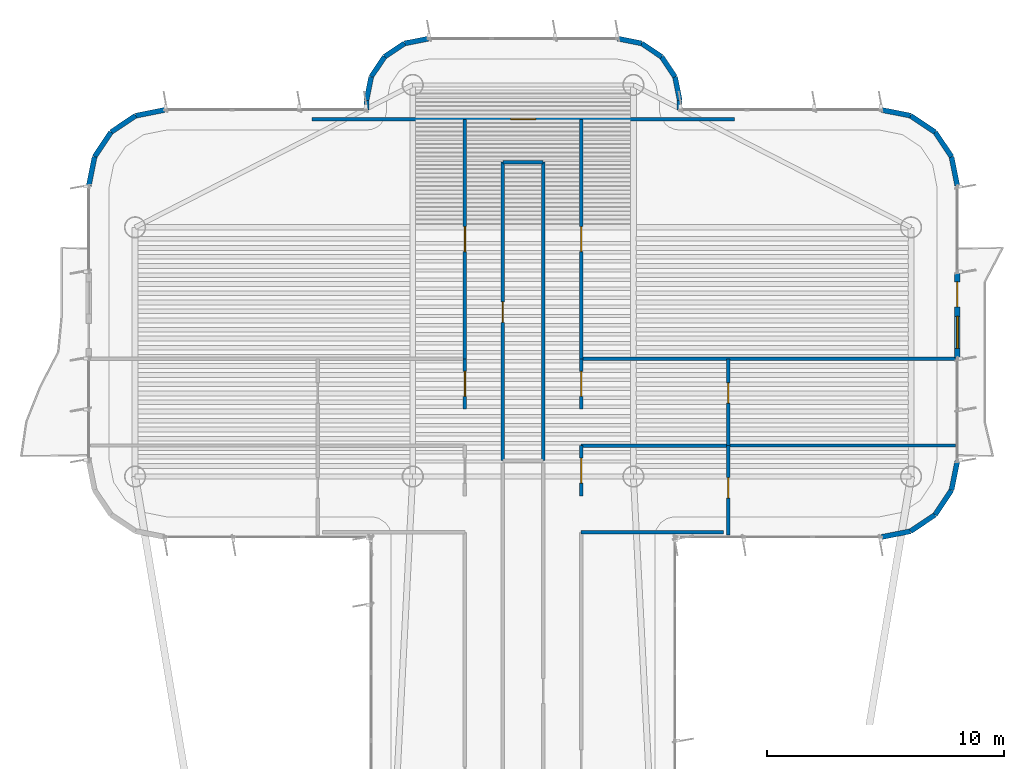
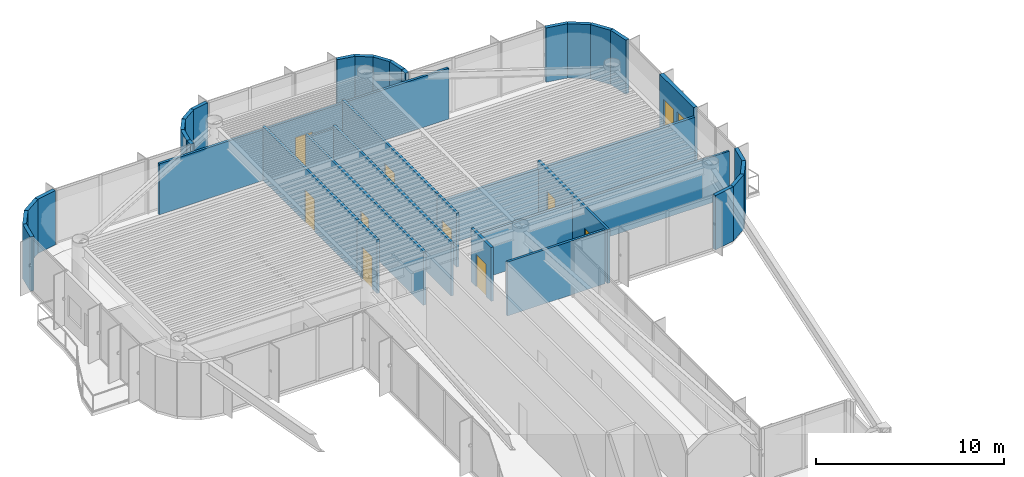
# One storey, part 12 of 15: 38 walls, 10 doors, 1 window, 11 openings.
"""IFC4 building model written with IfcOpenShell, lengths in metres."""

from ifc_helpers import new_model, si_unit, direction, frame, frame_2d, origin, origin_2d, place, context, subcontext, project, spatial, rectangle, extrude, source, transform, mapped, material, layer, layer_set, type_object, element, fill, save


model = new_model("IFC4")

# Units and contexts
model_context = context("Model", 3, precision=1e-05, world=origin(), true_north=direction((0.0, 1.0)))
body_context = subcontext(model_context, "Body", "Model", "MODEL_VIEW")
ifc_project = project(units=[si_unit("LENGTHUNIT", "METRE"), si_unit("AREAUNIT", "SQUARE_METRE"), si_unit("VOLUMEUNIT", "CUBIC_METRE"), si_unit("PLANEANGLEUNIT", "RADIAN"), si_unit("MASSUNIT", "GRAM", prefix="KILO")], contexts=[model_context])

# Site, building, storey
site_placement = place(None, origin())
site = spatial("IfcSite", under=ifc_project, at=site_placement, CompositionType="ELEMENT")
building_placement = place(site_placement, origin())
building = spatial("IfcBuilding", under=site, at=building_placement, Name="Brelvock Crest Care Tower", CompositionType="ELEMENT")
storey_placement = place(building_placement, frame((0.0, 0.0, 241.919921875)))
storey = spatial("IfcBuildingStorey", under=building, at=storey_placement, Name="L61", CompositionType="ELEMENT", Elevation=241.919921875)

# Wall, openings, door, window
ifc_material_1 = material(Name="Precast concrete N40 (40 MPa)", Category="concrete")
ifc_layer_1 = layer(ifc_material_1, 0.239990234375, Name="WL-EX1")
ifc_layer_set_1 = layer_set([ifc_layer_1], Name="Precast concrete N40 (40 MPa)")
wall_type_1 = type_object("IfcWallType", Name="WL-EX1", PredefinedType="SOLIDWALL", material=ifc_layer_set_1)
wall_1_placement = place(storey_placement, frame((54.300048828125, 52.550048828125, 0.0), z_axis=(0.0, 0.0, 1.0), x_axis=(0.0, -1.0, 0.0)))
wall_1 = element("IfcWall", 1, at=wall_1_placement, inside=storey, type_object=wall_type_1, Name="L61 Exterior Spandrel Wall WL-BAL-L61-E", PredefinedType="SOLIDWALL", context=body_context, shape_type="SweptSolid", body=[
    extrude(rectangle(XDim=3.60009765625, YDim=0.239990234375, at=frame_2d((1.800048828125, 0.0))), origin(), (0.0, 0.0, 1.0), 3.530029296875),
])
opening_1_placement = place(wall_1_placement, frame((0.39990234375, 0.0, 0.0)))
opening_1 = element("IfcOpeningElement", 2, at=opening_1_placement, cuts=wall_1, Name="Opening BD-1", PredefinedType="OPENING", context=body_context, shape_type="SweptSolid", body=[
    extrude(rectangle(XDim=1.050048828125, YDim=2.14990234375, at=origin_2d()), frame((0.52490234375, 0.1298828125, 1.074951171875), z_axis=(0.0, -1.0, 0.0), x_axis=(1.0, 0.0, 0.0)), (0.0, 0.0, 1.0), 0.260009765625),
])
opening_2_placement = place(wall_1_placement, frame((1.85009765625, 0.0, 0.85009765625)))
opening_2 = element("IfcOpeningElement", 3, at=opening_2_placement, cuts=wall_1, Name="Opening W-01", PredefinedType="OPENING", context=body_context, shape_type="SweptSolid", body=[
    extrude(rectangle(XDim=1.35009765625, YDim=1.35009765625, at=origin_2d()), frame((0.675048828125, 0.1298828125, 0.675048828125), z_axis=(0.0, -1.0, 0.0), x_axis=(1.0, 0.0, 0.0)), (0.0, 0.0, 1.0), 0.260009765625),
])
ifc_material_2 = material(Name="Dark Glass Double Glazed Low-E", Category="glass")
door_type_1 = type_object("IfcDoorType", Name="DR-BAL1", OperationType="NOTDEFINED", PredefinedType="DOOR", material=ifc_material_2)
shared_shape_1 = source(origin(), body_context, "Body", "SweptSolid", [
    extrude(rectangle(XDim=1.050048828125, YDim=2.14990234375, at=origin_2d()), frame((0.52490234375, 0.02490234375, 1.074951171875), z_axis=(0.0, -1.0, 0.0), x_axis=(1.0, 0.0, 0.0)), (0.0, 0.0, 1.0), 0.050048828125),
])
door_1_placement = place(opening_1_placement, origin())
door_1 = element("IfcDoor", 4, at=door_1_placement, inside=storey, type_object=door_type_1, Name="L61 E Wave Balcony Glazed Door", OperationType="SINGLE_SWING_RIGHT", OverallHeight=2.14990234375, OverallWidth=1.050048828125, PredefinedType="DOOR", context=body_context, shape_type="MappedRepresentation", body=[
    mapped(shared_shape_1, transform((0.0, 0.0, 0.0), x_axis=(1.0, 0.0, 0.0), y_axis=(0.0, 1.0, 0.0), z_axis=(0.0, 0.0, 1.0), scale=1.0)),
])
fill(opening_1, door_1)
window_type = type_object("IfcWindowType", Name="WN-EX1", PartitioningType="SINGLE_PANEL", PredefinedType="WINDOW", material=ifc_material_2)
shared_shape_2 = source(origin(), body_context, "Body", "SweptSolid", [
    extrude(rectangle(XDim=1.35009765625, YDim=1.35009765625, at=origin_2d()), frame((0.675048828125, 0.030029296875, 0.675048828125), z_axis=(0.0, -1.0, 0.0), x_axis=(1.0, 0.0, 0.0)), (0.0, 0.0, 1.0), 0.06005859375),
])
window_placement = place(opening_2_placement, origin())
window = element("IfcWindow", 5, at=window_placement, inside=storey, type_object=window_type, Name="L61 E Suite Casement Window", OverallHeight=1.35009765625, OverallWidth=1.35009765625, PartitioningType="SINGLE_PANEL", PredefinedType="WINDOW", context=body_context, shape_type="MappedRepresentation", body=[
    mapped(shared_shape_2, transform((0.0, 0.0, 0.0), x_axis=(1.0, 0.0, 0.0), y_axis=(0.0, 1.0, 0.0), z_axis=(0.0, 0.0, 1.0), scale=1.0)),
])
fill(opening_2, window)

# Walls
ifc_layer_2 = layer(ifc_material_1, 0.215087890625, Name="WL-EX2")
ifc_layer_set_2 = layer_set([ifc_layer_2], Name="Precast concrete N40 (40 MPa)")
wall_type_2 = type_object("IfcWallType", Name="WL-EX2", PredefinedType="SOLIDWALL", material=ifc_layer_set_2)
for number, where, z_axis, x_axis, name in (
    (6, (17.699951171875, 56.199951171875, 0.0), (0.0, 0.0, 1.0), (0.195138390419, 0.980775717779, 0.0), "L61 Rounded Corner Wall 18"),
    (7, (17.943603515625, 57.424560546875, 0.0), (0.0, 0.0, 1.0), (0.555557312883, 0.831478245117, 0.0), "L61 Rounded Corner Wall 19"),
    (8, (18.63720703125, 58.462646484375, 0.0), (0.0, 0.0, 1.0), (0.831387912822, 0.555692485475, 0.0), "L61 Rounded Corner Wall 20"),
    (9, (19.67529296875, 59.156494140625, 0.0), (0.0, 0.0, 1.0), (0.980813122964, 0.194950295773, 0.0), "L61 Rounded Corner Wall 21"),
):
    element("IfcWall", number, at=place(storey_placement, frame(where, z_axis=z_axis, x_axis=x_axis)), inside=storey, type_object=wall_type_2, Name=name, PredefinedType="SOLIDWALL", context=body_context, shape_type="SweptSolid", body=[
        extrude(rectangle(XDim=1.24853515625, YDim=0.215087890625, at=frame_2d((0.624267578125, 0.0))), origin(), (0.0, 0.0, 1.0), 3.530029296875),
    ])
wall_2_placement = place(storey_placement, frame((29.39990234375, 59.39990234375, 0.0), z_axis=(0.0, 0.0, 1.0), x_axis=(0.0, 1.0, 0.0)))
element("IfcWall", 10, at=wall_2_placement, inside=storey, type_object=wall_type_2, Name="L61 Rounded Corner Wall 23", PredefinedType="SOLIDWALL", context=body_context, shape_type="SweptSolid", body=[
    extrude(rectangle(XDim=0.400146484375, YDim=0.215087890625, at=frame_2d((0.2001953125, 0.0))), origin(), (0.0, 0.0, 1.0), 3.530029296875),
])
wall_3_placement = place(storey_placement, frame((29.39990234375, 59.800048828125, 0.0), z_axis=(0.0, 0.0, 1.0), x_axis=(0.195190360752, 0.980765376158, 0.0)))
element("IfcWall", 11, at=wall_3_placement, inside=storey, type_object=wall_type_2, Name="L61 Rounded Corner Wall 24", PredefinedType="SOLIDWALL", context=body_context, shape_type="SweptSolid", body=[
    extrude(rectangle(XDim=1.014404296875, YDim=0.215087890625, at=frame_2d((0.50732421875, 0.0))), origin(), (0.0, 0.0, 1.0), 3.530029296875),
])
wall_4_placement = place(storey_placement, frame((29.597900390625, 60.794921875, 0.0), z_axis=(0.0, 0.0, 1.0), x_axis=(0.555643898837, 0.831420385657, 0.0)))
element("IfcWall", 12, at=wall_4_placement, inside=storey, type_object=wall_type_2, Name="L61 Rounded Corner Wall 25", PredefinedType="SOLIDWALL", context=body_context, shape_type="SweptSolid", body=[
    extrude(rectangle(XDim=1.0146484375, YDim=0.215087890625, at=frame_2d((0.50732421875, 0.0))), origin(), (0.0, 0.0, 1.0), 3.530029296875),
])
wall_5_placement = place(storey_placement, frame((30.16162109375, 61.638427734375, 0.0), z_axis=(0.0, 0.0, 1.0), x_axis=(0.831346067305, 0.555755086685, 0.0)))
element("IfcWall", 13, at=wall_5_placement, inside=storey, type_object=wall_type_2, Name="L61 Rounded Corner Wall 26", PredefinedType="SOLIDWALL", context=body_context, shape_type="SweptSolid", body=[
    extrude(rectangle(XDim=1.014404296875, YDim=0.215087890625, at=frame_2d((0.50732421875, 0.0))), origin(), (0.0, 0.0, 1.0), 3.530029296875),
])
for number, where, z_axis, x_axis, name in (
    (14, (31.0048828125, 62.2021484375, 0.0), (0.0, 0.0, 1.0), (0.980820570666, 0.194912821943, 0.0), "L61 Rounded Corner Wall 27"),
    (15, (40.0, 62.39990234375, 0.0), (0.0, 0.0, 1.0), (0.980820570666, -0.194912821943, 0.0), "L61 Rounded Corner Wall 29"),
):
    element("IfcWall", number, at=place(storey_placement, frame(where, z_axis=z_axis, x_axis=x_axis)), inside=storey, type_object=wall_type_2, Name=name, PredefinedType="SOLIDWALL", context=body_context, shape_type="SweptSolid", body=[
        extrude(rectangle(XDim=1.0146484375, YDim=0.215087890625, at=frame_2d((0.50732421875, 0.0))), origin(), (0.0, 0.0, 1.0), 3.530029296875),
    ])
wall_6_placement = place(storey_placement, frame((40.9951171875, 62.2021484375, 0.0), z_axis=(0.0, 0.0, 1.0), x_axis=(0.831346067305, -0.555755086685, 0.0)))
element("IfcWall", 16, at=wall_6_placement, inside=storey, type_object=wall_type_2, Name="L61 Rounded Corner Wall 30", PredefinedType="SOLIDWALL", context=body_context, shape_type="SweptSolid", body=[
    extrude(rectangle(XDim=1.014404296875, YDim=0.215087890625, at=frame_2d((0.50732421875, 0.0))), origin(), (0.0, 0.0, 1.0), 3.530029296875),
])
wall_7_placement = place(storey_placement, frame((41.83837890625, 61.638427734375, 0.0), z_axis=(0.0, 0.0, 1.0), x_axis=(0.555643898837, -0.831420385657, 0.0)))
element("IfcWall", 17, at=wall_7_placement, inside=storey, type_object=wall_type_2, Name="L61 Rounded Corner Wall 31", PredefinedType="SOLIDWALL", context=body_context, shape_type="SweptSolid", body=[
    extrude(rectangle(XDim=1.0146484375, YDim=0.215087890625, at=frame_2d((0.50732421875, 0.0))), origin(), (0.0, 0.0, 1.0), 3.530029296875),
])
wall_8_placement = place(storey_placement, frame((42.402099609375, 60.794921875, 0.0), z_axis=(0.0, 0.0, 1.0), x_axis=(0.195190360752, -0.980765376158, 0.0)))
element("IfcWall", 18, at=wall_8_placement, inside=storey, type_object=wall_type_2, Name="L61 Rounded Corner Wall 32", PredefinedType="SOLIDWALL", context=body_context, shape_type="SweptSolid", body=[
    extrude(rectangle(XDim=1.014404296875, YDim=0.215087890625, at=frame_2d((0.50732421875, 0.0))), origin(), (0.0, 0.0, 1.0), 3.530029296875),
])
wall_9_placement = place(storey_placement, frame((42.60009765625, 59.800048828125, 0.0), z_axis=(0.0, 0.0, 1.0), x_axis=(0.0, -1.0, 0.0)))
element("IfcWall", 19, at=wall_9_placement, inside=storey, type_object=wall_type_2, Name="L61 Rounded Corner Wall 33", PredefinedType="SOLIDWALL", context=body_context, shape_type="SweptSolid", body=[
    extrude(rectangle(XDim=0.400146484375, YDim=0.215087890625, at=frame_2d((0.2001953125, 0.0))), origin(), (0.0, 0.0, 1.0), 3.530029296875),
])
for number, where, z_axis, x_axis, name in (
    (20, (51.10009765625, 59.39990234375, 0.0), (0.0, 0.0, 1.0), (0.980813122964, -0.194950295773, 0.0), "L61 Rounded Corner Wall 35"),
    (21, (52.32470703125, 59.156494140625, 0.0), (0.0, 0.0, 1.0), (0.831387912822, -0.555692485475, 0.0), "L61 Rounded Corner Wall 36"),
    (22, (53.36279296875, 58.462646484375, 0.0), (0.0, 0.0, 1.0), (0.555557312883, -0.831478245117, 0.0), "L61 Rounded Corner Wall 37"),
    (23, (54.056396484375, 57.424560546875, 0.0), (0.0, 0.0, 1.0), (0.195138390419, -0.980775717779, 0.0), "L61 Rounded Corner Wall 38"),
    (24, (54.300048828125, 44.60009765625, 0.0), (0.0, 0.0, 1.0), (-0.195138390419, -0.980775717779, 0.0), "L61 Rounded Corner Wall 40"),
    (25, (54.056396484375, 43.37548828125, 0.0), (0.0, 0.0, 1.0), (-0.555557312883, -0.831478245117, 0.0), "L61 Rounded Corner Wall 41"),
    (26, (53.36279296875, 42.33740234375, 0.0), (0.0, 0.0, 1.0), (-0.831387912822, -0.555692485475, 0.0), "L61 Rounded Corner Wall 42"),
    (27, (52.32470703125, 41.6435546875, 0.0), (0.0, 0.0, 1.0), (-0.980775717779, -0.195138390419, 0.0), "L61 Rounded Corner Wall 43"),
):
    element("IfcWall", number, at=place(storey_placement, frame(where, z_axis=z_axis, x_axis=x_axis)), inside=storey, type_object=wall_type_2, Name=name, PredefinedType="SOLIDWALL", context=body_context, shape_type="SweptSolid", body=[
        extrude(rectangle(XDim=1.24853515625, YDim=0.215087890625, at=frame_2d((0.624267578125, 0.0))), origin(), (0.0, 0.0, 1.0), 3.530029296875),
    ])
ifc_material_3 = material(Name="Masonry Blockwork Acoustic Partition", Category="masonry")
ifc_layer_3 = layer(ifc_material_3, 0.14990234375, Name="WL-INT1")
ifc_layer_set_3 = layer_set([ifc_layer_3], Name="Masonry Blockwork Acoustic Partition")
wall_type_3 = type_object("IfcWallType", Name="WL-INT1", PredefinedType="PARTITIONING", material=ifc_layer_set_3)
wall_10_placement = place(storey_placement, frame((38.449951171875, 41.60009765625, 0.0), z_axis=(0.0, 0.0, 1.0), x_axis=(1.0, 0.0, 0.0)))
element("IfcWall", 28, at=wall_10_placement, inside=storey, type_object=wall_type_3, Name="L61 Interior Wall WL-BX-L61-CS-ER1A-S", PredefinedType="PARTITIONING", context=body_context, shape_type="SweptSolid", body=[
    extrude(rectangle(XDim=5.993408203125, YDim=0.14990234375, at=frame_2d((2.99658203125, 0.0))), origin(), (0.0, 0.0, 1.0), 3.5),
])
wall_11_placement = place(storey_placement, frame((38.449951171875, 45.25390625, 0.0), z_axis=(0.0, 0.0, 1.0), x_axis=(1.0, 0.0, 0.0)))
element("IfcWall", 29, at=wall_11_placement, inside=storey, type_object=wall_type_3, Name="L61 Interior Wall WL-BX-L61-CS-ER1A-N", PredefinedType="PARTITIONING", context=body_context, shape_type="SweptSolid", body=[
    extrude(rectangle(XDim=6.199951171875, YDim=0.14990234375, at=frame_2d((3.10009765625, 0.0))), origin(), (0.0, 0.0, 1.0), 2.982177734375),
])
wall_12_placement = place(storey_placement, frame((38.449951171875, 48.907958984375, 0.0), z_axis=(0.0, 0.0, 1.0), x_axis=(1.0, 0.0, 0.0)))
element("IfcWall", 30, at=wall_12_placement, inside=storey, type_object=wall_type_3, Name="L61 Interior Wall WL-BX-L61-ERC-S", PredefinedType="PARTITIONING", context=body_context, shape_type="SweptSolid", body=[
    extrude(rectangle(XDim=15.77001953125, YDim=0.14990234375, at=frame_2d((7.885009765625, 0.0))), origin(), (0.0, 0.0, 1.0), 2.982177734375),
])
wall_13_placement = place(storey_placement, frame((35.14990234375, 57.199951171875, 0.0), z_axis=(0.0, 0.0, 1.0), x_axis=(1.0, 0.0, 0.0)))
element("IfcWall", 31, at=wall_13_placement, inside=storey, type_object=wall_type_3, Name="L61 Interior Wall WL-BX-L61-ISKT-N", PredefinedType="PARTITIONING", context=body_context, shape_type="SweptSolid", body=[
    extrude(rectangle(XDim=1.7001953125, YDim=0.14990234375, at=frame_2d((0.85009765625, 0.0))), origin(), (0.0, 0.0, 1.0), 3.30810546875),
])

# Wall, opening, door
wall_14_placement = place(storey_placement, frame((27.10009765625, 59.0, 0.0), z_axis=(0.0, 0.0, 1.0), x_axis=(1.0, 0.0, 0.0)))
wall_14 = element("IfcWall", 32, at=wall_14_placement, inside=storey, type_object=wall_type_3, Name="L61 Interior Wall WL-RM-L61-NHUB", PredefinedType="PARTITIONING", context=body_context, shape_type="SweptSolid", body=[
    extrude(rectangle(XDim=17.7998046875, YDim=0.14990234375, at=frame_2d((8.89990234375, 0.0))), origin(), (0.0, 0.0, 1.0), 3.30810546875),
])
opening_3_placement = place(wall_14_placement, frame((8.375, 0.0, 0.0)))
opening_3 = element("IfcOpeningElement", 33, at=opening_3_placement, cuts=wall_14, Name="Opening CLD-1", PredefinedType="OPENING", context=body_context, shape_type="SweptSolid", body=[
    extrude(rectangle(XDim=1.050048828125, YDim=2.10009765625, at=origin_2d()), frame((0.52490234375, 0.0849609375, 1.050048828125), z_axis=(0.0, -1.0, 0.0), x_axis=(1.0, 0.0, 0.0)), (0.0, 0.0, 1.0), 0.169921875),
])
ifc_material_4 = material(Name="Engineered Hardwood Timber", Category="wood")
door_type_2 = type_object("IfcDoorType", Name="DR-CLN1", OperationType="NOTDEFINED", PredefinedType="DOOR", material=ifc_material_4)
shared_shape_3 = source(origin(), body_context, "Body", "SweptSolid", [
    extrude(rectangle(XDim=1.050048828125, YDim=2.10009765625, at=origin_2d()), frame((0.52490234375, 0.02490234375, 1.050048828125), z_axis=(0.0, -1.0, 0.0), x_axis=(1.0, 0.0, 0.0)), (0.0, 0.0, 1.0), 0.050048828125),
])
door_2_placement = place(opening_3_placement, origin())
door_2 = element("IfcDoor", 34, at=door_2_placement, inside=storey, type_object=door_type_2, Name="L61 North Crest Conservatory Lounge Door NHUB", OperationType="SINGLE_SWING_LEFT", OverallHeight=2.10009765625, OverallWidth=1.050048828125, PredefinedType="DOOR", context=body_context, shape_type="MappedRepresentation", body=[
    mapped(shared_shape_3, transform((0.0, 0.0, 0.0), x_axis=(1.0, 0.0, 0.0), y_axis=(0.0, 1.0, 0.0), z_axis=(0.0, 0.0, 1.0), scale=1.0)),
])
fill(opening_3, door_2)

wall_15_placement = place(storey_placement, frame((33.550048828125, 46.7890625, 0.0), z_axis=(0.0, 0.0, 1.0), x_axis=(0.0, 1.0, 0.0)))
wall_15 = element("IfcWall", 35, at=wall_15_placement, inside=storey, type_object=wall_type_3, Name="L61 Interior Wall WL-CENT-L61-WR1B", PredefinedType="PARTITIONING", context=body_context, shape_type="SweptSolid", body=[
    extrude(rectangle(XDim=2.118896484375, YDim=0.14990234375, at=frame_2d((1.0595703125, 0.0))), origin(), (0.0, 0.0, 1.0), 3.5),
])
opening_4_placement = place(wall_15_placement, frame((0.5390625, 0.0, 0.0)))
opening_4 = element("IfcOpeningElement", 36, at=opening_4_placement, cuts=wall_15, Name="Opening CD-1", PredefinedType="OPENING", context=body_context, shape_type="SweptSolid", body=[
    extrude(rectangle(XDim=1.050048828125, YDim=2.10009765625, at=origin_2d()), frame((0.52490234375, 0.0849609375, 1.050048828125), z_axis=(0.0, -1.0, 0.0), x_axis=(1.0, 0.0, 0.0)), (0.0, 0.0, 1.0), 0.169921875),
])
door_type_3 = type_object("IfcDoorType", Name="DR-CARE1", OperationType="NOTDEFINED", PredefinedType="DOOR", material=ifc_material_4)
shared_shape_4 = source(origin(), body_context, "Body", "SweptSolid", [
    extrude(rectangle(XDim=1.050048828125, YDim=2.10009765625, at=origin_2d()), frame((0.52490234375, 0.02490234375, 1.050048828125), z_axis=(0.0, -1.0, 0.0), x_axis=(1.0, 0.0, 0.0)), (0.0, 0.0, 1.0), 0.050048828125),
])
door_3_placement = place(opening_4_placement, origin())
door_3 = element("IfcDoor", 37, at=door_3_placement, inside=storey, type_object=door_type_3, Name="L61 Care Suite Door WR1B", OperationType="SINGLE_SWING_LEFT", OverallHeight=2.10009765625, OverallWidth=1.050048828125, PredefinedType="DOOR", context=body_context, shape_type="MappedRepresentation", body=[
    mapped(shared_shape_4, transform((0.0, 0.0, 0.0), x_axis=(1.0, 0.0, 0.0), y_axis=(0.0, 1.0, 0.0), z_axis=(0.0, 0.0, 1.0), scale=1.0)),
])
fill(opening_4, door_3)

wall_16_placement = place(storey_placement, frame((33.550048828125, 48.907958984375, 0.0), z_axis=(0.0, 0.0, 1.0), x_axis=(0.0, 1.0, 0.0)))
wall_16 = element("IfcWall", 38, at=wall_16_placement, inside=storey, type_object=wall_type_3, Name="L61 Interior Wall WL-RM-L61-WRC", PredefinedType="PARTITIONING", context=body_context, shape_type="SweptSolid", body=[
    extrude(rectangle(XDim=10.092041015625, YDim=0.14990234375, at=frame_2d((5.0458984375, 0.0))), origin(), (0.0, 0.0, 1.0), 3.5),
])
opening_5_placement = place(wall_16_placement, frame((4.52099609375, 0.0, 0.0)))
opening_5 = element("IfcOpeningElement", 39, at=opening_5_placement, cuts=wall_16, Name="Opening CLD-1", PredefinedType="OPENING", context=body_context, shape_type="SweptSolid", body=[
    extrude(rectangle(XDim=1.050048828125, YDim=2.10009765625, at=origin_2d()), frame((0.52490234375, 0.0849609375, 1.050048828125), z_axis=(0.0, -1.0, 0.0), x_axis=(1.0, 0.0, 0.0)), (0.0, 0.0, 1.0), 0.169921875),
])
door_4_placement = place(opening_5_placement, origin())
door_4 = element("IfcDoor", 40, at=door_4_placement, inside=storey, type_object=door_type_2, Name="L61 Neurological Rehab Studio Door WRC", OperationType="SINGLE_SWING_LEFT", OverallHeight=2.10009765625, OverallWidth=1.050048828125, PredefinedType="DOOR", context=body_context, shape_type="MappedRepresentation", body=[
    mapped(shared_shape_3, transform((0.0, 0.0, 0.0), x_axis=(1.0, 0.0, 0.0), y_axis=(0.0, 1.0, 0.0), z_axis=(0.0, 0.0, 1.0), scale=1.0)),
])
fill(opening_5, door_4)

wall_17_placement = place(storey_placement, frame((35.14990234375, 44.6201171875, 0.0), z_axis=(0.0, 0.0, 1.0), x_axis=(0.0, 1.0, 0.0)))
wall_17 = element("IfcWall", 41, at=wall_17_placement, inside=storey, type_object=wall_type_3, Name="L61 Interior Wall WL-RM-L61-ISKT", PredefinedType="PARTITIONING", context=body_context, shape_type="SweptSolid", body=[
    extrude(rectangle(XDim=12.579833984375, YDim=0.14990234375, at=frame_2d((6.2900390625, 0.0))), origin(), (0.0, 0.0, 1.0), 3.5),
])
opening_6_placement = place(wall_17_placement, frame((5.830078125, 0.0, 0.0)))
opening_6 = element("IfcOpeningElement", 42, at=opening_6_placement, cuts=wall_17, Name="Opening ID-1", PredefinedType="OPENING", context=body_context, shape_type="SweptSolid", body=[
    extrude(rectangle(XDim=0.860107421875, YDim=2.10009765625, at=origin_2d()), frame((0.43017578125, 0.0849609375, 1.050048828125), z_axis=(0.0, -1.0, 0.0), x_axis=(1.0, 0.0, 0.0)), (0.0, 0.0, 1.0), 0.169921875),
])
door_type_4 = type_object("IfcDoorType", Name="DR-INT1", OperationType="NOTDEFINED", PredefinedType="DOOR", material=ifc_material_4)
shared_shape_5 = source(origin(), body_context, "Body", "SweptSolid", [
    extrude(rectangle(XDim=0.860107421875, YDim=2.10009765625, at=origin_2d()), frame((0.43017578125, 0.02490234375, 1.050048828125), z_axis=(0.0, -1.0, 0.0), x_axis=(1.0, 0.0, 0.0)), (0.0, 0.0, 1.0), 0.050048828125),
])
door_5_placement = place(opening_6_placement, origin())
door_5 = element("IfcDoor", 43, at=door_5_placement, inside=storey, type_object=door_type_4, Name="L61 Communal Tea and Nutrition Pantry Door ISKT", OperationType="SINGLE_SWING_LEFT", OverallHeight=2.10009765625, OverallWidth=0.860107421875, PredefinedType="DOOR", context=body_context, shape_type="MappedRepresentation", body=[
    mapped(shared_shape_5, transform((0.0, 0.0, 0.0), x_axis=(1.0, 0.0, 0.0), y_axis=(0.0, 1.0, 0.0), z_axis=(0.0, 0.0, 1.0), scale=1.0)),
])
fill(opening_6, door_5)

# Wall
wall_18_placement = place(storey_placement, frame((36.85009765625, 44.6201171875, 0.0), z_axis=(0.0, 0.0, 1.0), x_axis=(0.0, 1.0, 0.0)))
element("IfcWall", 44, at=wall_18_placement, inside=storey, type_object=wall_type_3, Name="L61 Interior Wall WL-BX-L61-ISKT-E", PredefinedType="PARTITIONING", context=body_context, shape_type="SweptSolid", body=[
    extrude(rectangle(XDim=12.579833984375, YDim=0.14990234375, at=frame_2d((6.2900390625, 0.0))), origin(), (0.0, 0.0, 1.0), 3.5),
])

# Wall, opening, door
wall_19_placement = place(storey_placement, frame((38.449951171875, 43.135009765625, 0.0), z_axis=(0.0, 0.0, 1.0), x_axis=(0.0, 1.0, 0.0)))
wall_19 = element("IfcWall", 45, at=wall_19_placement, inside=storey, type_object=wall_type_3, Name="L61 Interior Wall WL-CENT-L61-ER1A", PredefinedType="PARTITIONING", context=body_context, shape_type="SweptSolid", body=[
    extrude(rectangle(XDim=2.118896484375, YDim=0.14990234375, at=frame_2d((1.0595703125, 0.0))), origin(), (0.0, 0.0, 1.0), 3.5),
])
opening_7_placement = place(wall_19_placement, frame((0.5390625, 0.0, 0.0)))
opening_7 = element("IfcOpeningElement", 46, at=opening_7_placement, cuts=wall_19, Name="Opening CD-1", PredefinedType="OPENING", context=body_context, shape_type="SweptSolid", body=[
    extrude(rectangle(XDim=1.050048828125, YDim=2.10009765625, at=origin_2d()), frame((0.52490234375, 0.0849609375, 1.050048828125), z_axis=(0.0, -1.0, 0.0), x_axis=(1.0, 0.0, 0.0)), (0.0, 0.0, 1.0), 0.169921875),
])
door_6_placement = place(opening_7_placement, origin())
door_6 = element("IfcDoor", 47, at=door_6_placement, inside=storey, type_object=door_type_3, Name="L61 Care Suite Door ER1A", OperationType="SINGLE_SWING_LEFT", OverallHeight=2.10009765625, OverallWidth=1.050048828125, PredefinedType="DOOR", context=body_context, shape_type="MappedRepresentation", body=[
    mapped(shared_shape_4, transform((0.0, 0.0, 0.0), x_axis=(1.0, 0.0, 0.0), y_axis=(0.0, 1.0, 0.0), z_axis=(0.0, 0.0, 1.0), scale=1.0)),
])
fill(opening_7, door_6)

wall_20_placement = place(storey_placement, frame((38.449951171875, 46.7890625, 0.0), z_axis=(0.0, 0.0, 1.0), x_axis=(0.0, 1.0, 0.0)))
wall_20 = element("IfcWall", 48, at=wall_20_placement, inside=storey, type_object=wall_type_3, Name="L61 Interior Wall WL-CENT-L61-ER1B", PredefinedType="PARTITIONING", context=body_context, shape_type="SweptSolid", body=[
    extrude(rectangle(XDim=2.118896484375, YDim=0.14990234375, at=frame_2d((1.0595703125, 0.0))), origin(), (0.0, 0.0, 1.0), 3.5),
])
opening_8_placement = place(wall_20_placement, frame((0.5390625, 0.0, 0.0)))
opening_8 = element("IfcOpeningElement", 49, at=opening_8_placement, cuts=wall_20, Name="Opening CD-1", PredefinedType="OPENING", context=body_context, shape_type="SweptSolid", body=[
    extrude(rectangle(XDim=1.050048828125, YDim=2.10009765625, at=origin_2d()), frame((0.52490234375, 0.0849609375, 1.050048828125), z_axis=(0.0, -1.0, 0.0), x_axis=(1.0, 0.0, 0.0)), (0.0, 0.0, 1.0), 0.169921875),
])
door_7_placement = place(opening_8_placement, origin())
door_7 = element("IfcDoor", 50, at=door_7_placement, inside=storey, type_object=door_type_3, Name="L61 Care Suite Door ER1B", OperationType="SINGLE_SWING_LEFT", OverallHeight=2.10009765625, OverallWidth=1.050048828125, PredefinedType="DOOR", context=body_context, shape_type="MappedRepresentation", body=[
    mapped(shared_shape_4, transform((0.0, 0.0, 0.0), x_axis=(1.0, 0.0, 0.0), y_axis=(0.0, 1.0, 0.0), z_axis=(0.0, 0.0, 1.0), scale=1.0)),
])
fill(opening_8, door_7)

wall_21_placement = place(storey_placement, frame((38.449951171875, 48.907958984375, 0.0), z_axis=(0.0, 0.0, 1.0), x_axis=(0.0, 1.0, 0.0)))
wall_21 = element("IfcWall", 51, at=wall_21_placement, inside=storey, type_object=wall_type_3, Name="L61 Interior Wall WL-RM-L61-ERC", PredefinedType="PARTITIONING", context=body_context, shape_type="SweptSolid", body=[
    extrude(rectangle(XDim=10.092041015625, YDim=0.14990234375, at=frame_2d((5.0458984375, 0.0))), origin(), (0.0, 0.0, 1.0), 3.5),
])
opening_9_placement = place(wall_21_placement, frame((4.52099609375, 0.0, 0.0)))
opening_9 = element("IfcOpeningElement", 52, at=opening_9_placement, cuts=wall_21, Name="Opening CLD-1", PredefinedType="OPENING", context=body_context, shape_type="SweptSolid", body=[
    extrude(rectangle(XDim=1.050048828125, YDim=2.10009765625, at=origin_2d()), frame((0.52490234375, 0.0849609375, 1.050048828125), z_axis=(0.0, -1.0, 0.0), x_axis=(1.0, 0.0, 0.0)), (0.0, 0.0, 1.0), 0.169921875),
])
door_8_placement = place(opening_9_placement, origin())
door_8 = element("IfcDoor", 53, at=door_8_placement, inside=storey, type_object=door_type_2, Name="L61 Cardiopulmonary Rehab Suite Door ERC", OperationType="SINGLE_SWING_LEFT", OverallHeight=2.10009765625, OverallWidth=1.050048828125, PredefinedType="DOOR", context=body_context, shape_type="MappedRepresentation", body=[
    mapped(shared_shape_3, transform((0.0, 0.0, 0.0), x_axis=(1.0, 0.0, 0.0), y_axis=(0.0, 1.0, 0.0), z_axis=(0.0, 0.0, 1.0), scale=1.0)),
])
fill(opening_9, door_8)

wall_22_placement = place(storey_placement, frame((44.64990234375, 41.47998046875, 0.0), z_axis=(0.0, 0.0, 1.0), x_axis=(0.0, 1.0, 0.0)))
wall_22 = element("IfcWall", 54, at=wall_22_placement, inside=storey, type_object=wall_type_3, Name="L61 Interior Wall WL-RM-L61-ER1AS", PredefinedType="PARTITIONING", context=body_context, shape_type="SweptSolid", body=[
    extrude(rectangle(XDim=3.77392578125, YDim=0.14990234375, at=frame_2d((1.886962890625, 0.0))), origin(), (0.0, 0.0, 1.0), 3.5),
])
opening_10_placement = place(wall_22_placement, frame((1.56005859375, 0.0, 0.0)))
opening_10 = element("IfcOpeningElement", 55, at=opening_10_placement, cuts=wall_22, Name="Opening ID-1", PredefinedType="OPENING", context=body_context, shape_type="SweptSolid", body=[
    extrude(rectangle(XDim=0.860107421875, YDim=2.10009765625, at=origin_2d()), frame((0.43017578125, 0.0849609375, 1.050048828125), z_axis=(0.0, -1.0, 0.0), x_axis=(1.0, 0.0, 0.0)), (0.0, 0.0, 1.0), 0.169921875),
])
door_9_placement = place(opening_10_placement, origin())
door_9 = element("IfcDoor", 56, at=door_9_placement, inside=storey, type_object=door_type_4, Name="L61 Rehab Recovery Mobility Store Door ER1AS", OperationType="SINGLE_SWING_LEFT", OverallHeight=2.10009765625, OverallWidth=0.860107421875, PredefinedType="DOOR", context=body_context, shape_type="MappedRepresentation", body=[
    mapped(shared_shape_5, transform((0.0, 0.0, 0.0), x_axis=(1.0, 0.0, 0.0), y_axis=(0.0, 1.0, 0.0), z_axis=(0.0, 0.0, 1.0), scale=1.0)),
])
fill(opening_10, door_9)

wall_23_placement = place(storey_placement, frame((44.64990234375, 45.25390625, 0.0), z_axis=(0.0, 0.0, 1.0), x_axis=(0.0, 1.0, 0.0)))
wall_23 = element("IfcWall", 57, at=wall_23_placement, inside=storey, type_object=wall_type_3, Name="L61 Interior Wall WL-RM-L61-ER1BS", PredefinedType="PARTITIONING", context=body_context, shape_type="SweptSolid", body=[
    extrude(rectangle(XDim=3.654052734375, YDim=0.14990234375, at=frame_2d((1.8271484375, 0.0))), origin(), (0.0, 0.0, 1.0), 3.5),
])
opening_11_placement = place(wall_23_placement, frame((1.785888671875, 0.0, 0.0)))
opening_11 = element("IfcOpeningElement", 58, at=opening_11_placement, cuts=wall_23, Name="Opening ID-1", PredefinedType="OPENING", context=body_context, shape_type="SweptSolid", body=[
    extrude(rectangle(XDim=0.860107421875, YDim=2.10009765625, at=origin_2d()), frame((0.43017578125, 0.0849609375, 1.050048828125), z_axis=(0.0, -1.0, 0.0), x_axis=(1.0, 0.0, 0.0)), (0.0, 0.0, 1.0), 0.169921875),
])
door_10_placement = place(opening_11_placement, origin())
door_10 = element("IfcDoor", 59, at=door_10_placement, inside=storey, type_object=door_type_4, Name="L61 Rehab Recovery Mobility Store Door ER1BS", OperationType="SINGLE_SWING_LEFT", OverallHeight=2.10009765625, OverallWidth=0.860107421875, PredefinedType="DOOR", context=body_context, shape_type="MappedRepresentation", body=[
    mapped(shared_shape_5, transform((0.0, 0.0, 0.0), x_axis=(1.0, 0.0, 0.0), y_axis=(0.0, 1.0, 0.0), z_axis=(0.0, 0.0, 1.0), scale=1.0)),
])
fill(opening_11, door_10)

# Wall
ifc_material_5 = material(Name="Gypsum Plasterboard Partition", Category="gypsum")
ifc_layer_4 = layer(ifc_material_5, 0.1201171875, Name="WL-INT2")
ifc_layer_set_4 = layer_set([ifc_layer_4], Name="Gypsum Plasterboard Partition")
wall_type_4 = type_object("IfcWallType", Name="WL-INT2", PredefinedType="PARTITIONING", material=ifc_layer_set_4)
wall_24_placement = place(storey_placement, frame((44.64990234375, 45.25390625, 0.0), z_axis=(0.0, 0.0, 1.0), x_axis=(1.0, 0.0, 0.0)))
element("IfcWall", 60, at=wall_24_placement, inside=storey, type_object=wall_type_4, Name="L61 Interior Wall WL-BX-L61-ER1AS-N", PredefinedType="PARTITIONING", context=body_context, shape_type="SweptSolid", body=[
    extrude(rectangle(XDim=9.570068359375, YDim=0.1201171875, at=frame_2d((4.78515625, 0.0))), origin(), (0.0, 0.0, 1.0), 2.982177734375),
])

save(model, "model.ifc")
